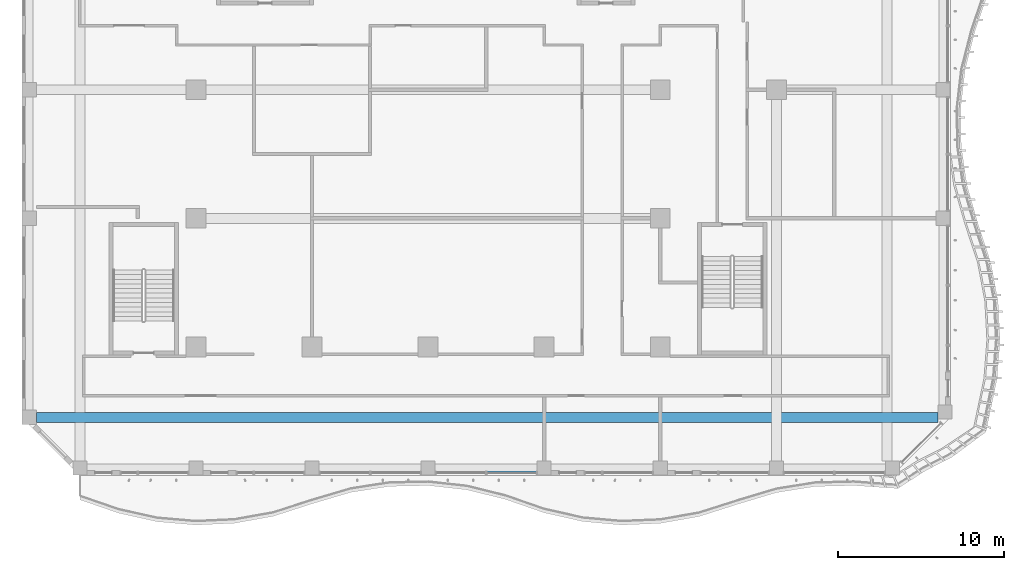
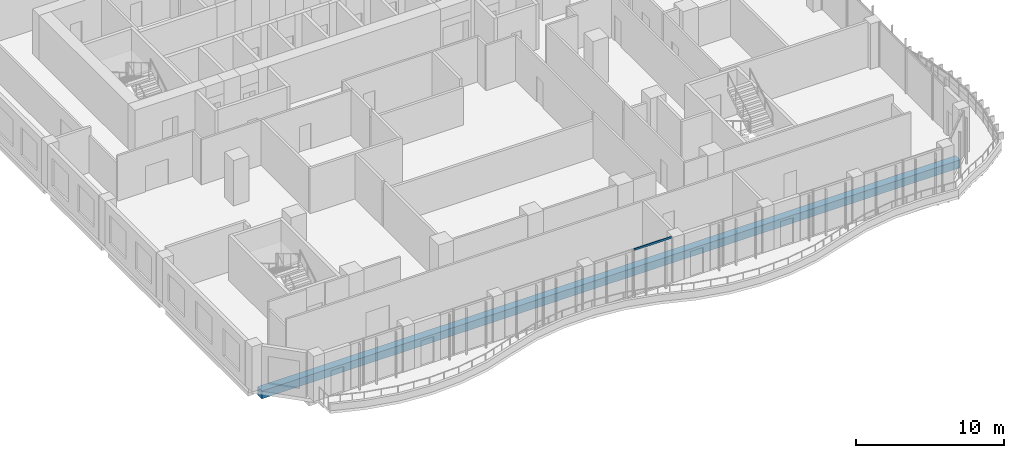
# One storey, part 3 of 26: 1 beam, 1 member, 1 element without a shape of its own.
"""IFC4 building model written with IfcOpenShell, lengths in metres."""

from ifc_helpers import new_model, si_unit, direction, frame, origin, origin_2d, place, context, subcontext, project, spatial, rectangle, extrude, source, transform, mapped, material, material_profile, profile_set, type_object, element, aggregate, save


model = new_model("IFC4")

# Units and contexts
model_context = context("Model", 3, precision=1e-05, world=origin(), true_north=direction((0.0, 1.0)))
body_context = subcontext(model_context, "Body", "Model", "MODEL_VIEW")
ifc_project = project(units=[si_unit("LENGTHUNIT", "METRE"), si_unit("AREAUNIT", "SQUARE_METRE"), si_unit("VOLUMEUNIT", "CUBIC_METRE"), si_unit("PLANEANGLEUNIT", "RADIAN"), si_unit("MASSUNIT", "GRAM", prefix="KILO")], contexts=[model_context])

# Site, building, storey
site_placement = place(None, origin())
site = spatial("IfcSite", under=ifc_project, at=site_placement, CompositionType="ELEMENT")
building_placement = place(site_placement, origin())
building = spatial("IfcBuilding", under=site, at=building_placement, Name="Kilnfold Tower and Market Hall", CompositionType="ELEMENT")
storey_placement = place(building_placement, frame((0.0, 0.0, 104.60009765625)))
storey = spatial("IfcBuildingStorey", under=building, at=storey_placement, Name="L24", CompositionType="ELEMENT", Elevation=104.60009765625)

# Beam
ifc_material_1 = material(Name="Concrete C45", Category="concrete")
ifc_material_profile_1 = material_profile(ifc_material_1, rectangle(XDim=0.60009765625, YDim=0.64990234375, at=origin_2d()), Name="RC 600x650")
ifc_profile_set_1 = profile_set([ifc_material_profile_1], Name="Concrete C45")
beam_type = type_object("IfcBeamType", Name="BEAM 600X650 C45", PredefinedType="BEAM", material=ifc_profile_set_1)
shared_shape_1 = source(origin(), body_context, "Body", "SweptSolid", [
    extrude(rectangle(XDim=0.60009765625, YDim=0.64990234375, at=origin_2d()), origin(), (0.0, 0.0, 1.0), 54.3818359375),
])
beam_placement = place(storey_placement, frame((-22.125, -19.5, -0.60498046875), z_axis=(1.0, 0.0, 0.0), x_axis=(0.0, 1.0, 0.0)))
element("IfcBeam", 1, at=beam_placement, inside=storey, type_object=beam_type, Name="Beam BB650-B3.59", PredefinedType="BEAM", context=body_context, shape_type="MappedRepresentation", body=[
    mapped(shared_shape_1, transform((0.0, 0.0, 0.0))),
])

# Curtain wall, member
ifc_material_2 = material(Name="Aluminium and double glazing", Category="aluminium")
curtain_wall_type = type_object("IfcCurtainWallType", Name="CW OF2 VALLEY GLAZING", PredefinedType="NOTDEFINED", material=ifc_material_2)
curtain_wall_placement = place(storey_placement, origin())
curtain_wall = element("IfcCurtainWall", 2, at=curtain_wall_placement, inside=storey, type_object=curtain_wall_type, Name="Curtain wall CW2 L24 S", PredefinedType="NOTDEFINED")
ifc_material_3 = material(Name="Aluminium", Category="aluminium")
ifc_material_profile_2 = material_profile(ifc_material_3, rectangle(XDim=0.06005859375, YDim=0.159912109375, at=origin_2d()), Name="TRANSOM 60x160")
ifc_profile_set_2 = profile_set([ifc_material_profile_2], Name="Aluminium")
member_type = type_object("IfcMemberType", Name="TRANSOM 60X160", PredefinedType="USERDEFINED", material=ifc_profile_set_2)
shared_shape_2 = source(origin(), body_context, "Body", "SweptSolid", [
    extrude(rectangle(XDim=0.06005859375, YDim=0.159912109375, at=origin_2d()), origin(), (0.0, 0.0, 1.0), 2.954833984375),
])
member_placement = place(storey_placement, frame((5.06005859375, -22.85009765625, 3.68994140625), z_axis=(1.0, 0.0, 0.0), x_axis=(0.0, 1.0, 0.0)))
member = element("IfcMember", 3, at=member_placement, type_object=member_type, Name="CW2 transom 1.2", ObjectType="TRANSOM", PredefinedType="USERDEFINED", context=body_context, shape_type="MappedRepresentation", body=[
    mapped(shared_shape_2, transform((0.0, 0.0, 0.0))),
])
aggregate(curtain_wall, [member])

save(model, "model.ifc")
